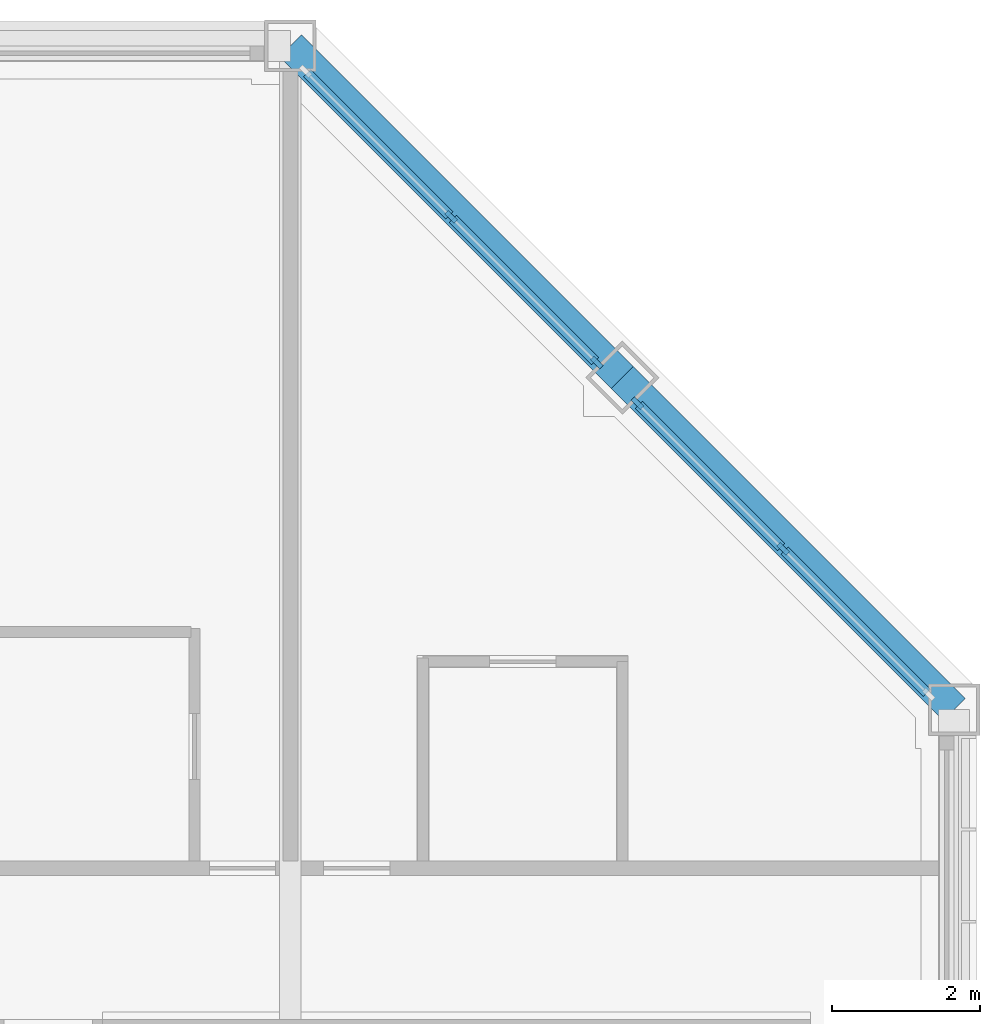
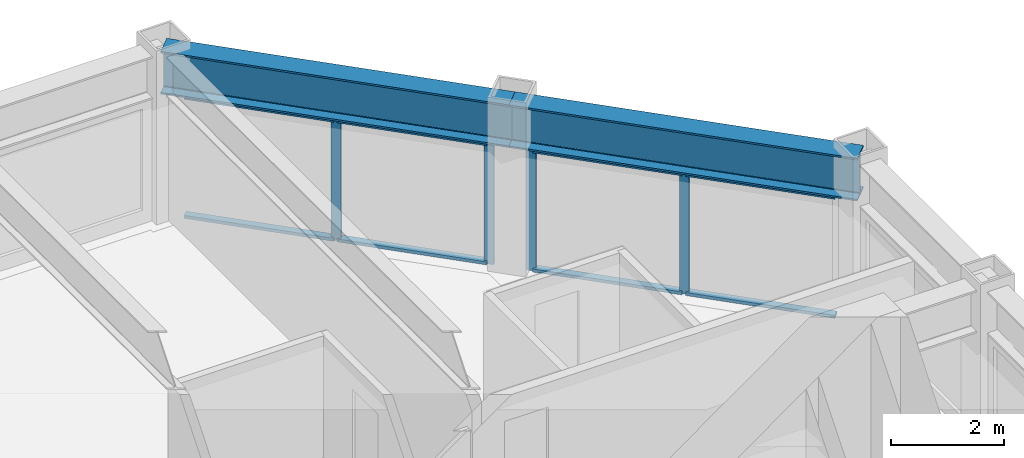
# One storey, part 7 of 16: 12 members, 2 beams, 2 elements without a shape of their own.
"""IFC4 building model written with IfcOpenShell, lengths in metres."""

from ifc_helpers import new_model, si_unit, direction, frame, origin, origin_2d, place, context, subcontext, project, spatial, rectangle, i_section, extrude, material, material_profile, profile_set, type_object, element, aggregate, save


model = new_model("IFC4")

# Units and contexts
model_context = context("Model", 3, precision=1e-05, world=origin(), true_north=direction((0.0, 1.0)))
body_context = subcontext(model_context, "Body", "Model", "MODEL_VIEW")
ifc_project = project(units=[si_unit("LENGTHUNIT", "METRE"), si_unit("AREAUNIT", "SQUARE_METRE"), si_unit("VOLUMEUNIT", "CUBIC_METRE"), si_unit("PLANEANGLEUNIT", "RADIAN"), si_unit("MASSUNIT", "GRAM", prefix="KILO")], contexts=[model_context])

# Site, building, storey
site_placement = place(None, origin())
site = spatial("IfcSite", under=ifc_project, at=site_placement, CompositionType="ELEMENT")
building_placement = place(site_placement, origin())
building = spatial("IfcBuilding", under=site, at=building_placement, Name="Msasa Ring Tower", CompositionType="ELEMENT")
storey_placement = place(building_placement, frame((0.0, 0.0, 212.050048828125)))
storey = spatial("IfcBuildingStorey", under=building, at=storey_placement, Name="L55", CompositionType="ELEMENT", Elevation=212.050048828125)

# Curtain wall, members
ifc_material_1 = material(Name="Aluminium curtain wall with clear glass", Category="aluminium")
curtain_wall_type = type_object("IfcCurtainWallType", Name="CW-C CHAMFER CORNER CURTAIN WALL", PredefinedType="NOTDEFINED", material=ifc_material_1)
curtain_wall_1_placement = place(storey_placement, origin())
curtain_wall_1 = element("IfcCurtainWall", 1, at=curtain_wall_1_placement, inside=storey, type_object=curtain_wall_type, Name="Chamfer corner curtain wall NE L55", PredefinedType="NOTDEFINED")
ifc_material_2 = material(Name="Aluminium mullion", Category="aluminium")
ifc_material_profile_1 = material_profile(ifc_material_2, rectangle(XDim=0.06494140625, YDim=0.179931640625, at=origin_2d()), Name="AL 65x180")
ifc_profile_set_1 = profile_set([ifc_material_profile_1], Name="Aluminium mullion")
member_type_1 = type_object("IfcMemberType", Name="CW-C MULLION 65x180", PredefinedType="MULLION", material=ifc_profile_set_1)
member_1_placement = place(storey_placement, frame((15.4052734375, 15.953369140625, 0.0), z_axis=(0.0, 0.0, 1.0), x_axis=(-0.707106781187, -0.707106781187, 0.0)))
member_1 = element("IfcMember", 2, at=member_1_placement, type_object=member_type_1, Name="CW-C mullion 1", PredefinedType="MULLION", context=body_context, shape_type="SweptSolid", body=[
    extrude(rectangle(XDim=0.06494140625, YDim=0.179931640625, at=origin_2d()), origin(), (0.0, 0.0, 1.0), 2.62890625),
])
member_2_placement = place(storey_placement, frame((13.42919921875, 17.92919921875, 0.0), z_axis=(0.0, 0.0, 1.0), x_axis=(-0.707106781187, -0.707106781187, 0.0)))
member_2 = element("IfcMember", 3, at=member_2_placement, type_object=member_type_1, Name="CW-C mullion 2", PredefinedType="MULLION", context=body_context, shape_type="SweptSolid", body=[
    extrude(rectangle(XDim=0.06494140625, YDim=0.179931640625, at=origin_2d()), origin(), (0.0, 0.0, 1.0), 2.62890625),
])

curtain_wall_2_placement = place(storey_placement, origin())
curtain_wall_2 = element("IfcCurtainWall", 4, at=curtain_wall_2_placement, inside=storey, type_object=curtain_wall_type, Name="Chamfer corner curtain wall NE L55", PredefinedType="NOTDEFINED")
member_3_placement = place(storey_placement, frame((17.92919921875, 13.42919921875, 0.0), z_axis=(0.0, 0.0, 1.0), x_axis=(-0.707106781187, -0.707106781187, 0.0)))
member_3 = element("IfcMember", 5, at=member_3_placement, type_object=member_type_1, Name="CW-C mullion 2", PredefinedType="MULLION", context=body_context, shape_type="SweptSolid", body=[
    extrude(rectangle(XDim=0.06494140625, YDim=0.179931640625, at=origin_2d()), origin(), (0.0, 0.0, 1.0), 2.62890625),
])
member_4_placement = place(storey_placement, frame((15.953369140625, 15.4052734375, 0.0), z_axis=(0.0, 0.0, 1.0), x_axis=(-0.707106781187, -0.707106781187, 0.0)))
member_4 = element("IfcMember", 6, at=member_4_placement, type_object=member_type_1, Name="CW-C mullion 3", PredefinedType="MULLION", context=body_context, shape_type="SweptSolid", body=[
    extrude(rectangle(XDim=0.06494140625, YDim=0.179931640625, at=origin_2d()), origin(), (0.0, 0.0, 1.0), 2.62890625),
])

# Member
ifc_material_3 = material(Name="Aluminium transom", Category="aluminium")
ifc_material_profile_2 = material_profile(ifc_material_3, rectangle(XDim=0.139892578125, YDim=0.06494140625, at=origin_2d()), Name="AL 65x140")
ifc_profile_set_2 = profile_set([ifc_material_profile_2], Name="Aluminium transom")
member_type_2 = type_object("IfcMemberType", Name="CW-C TRANSOM 65x140", PredefinedType="USERDEFINED", material=ifc_profile_set_2)
member_5_placement = place(storey_placement, frame((15.38232421875, 15.976318359375, 0.032470703125), z_axis=(-0.707106781187, 0.707106781187, 0.0), x_axis=(-0.707106781187, -0.707106781187, 0.0)))
member_5 = element("IfcMember", 7, at=member_5_placement, type_object=member_type_2, Name="CW-C transom 1.1", ObjectType="TRANSOM", PredefinedType="USERDEFINED", context=body_context, shape_type="SweptSolid", body=[
    extrude(rectangle(XDim=0.139892578125, YDim=0.06494140625, at=origin_2d()), origin(), (0.0, 0.0, 1.0), 2.729248046875),
])

member_6_placement = place(storey_placement, frame((15.38232421875, 15.976318359375, 2.596435546875), z_axis=(-0.707106781187, 0.707106781187, 0.0), x_axis=(-0.707106781187, -0.707106781187, 0.0)))
member_6 = element("IfcMember", 8, at=member_6_placement, type_object=member_type_2, Name="CW-C transom 1.2", ObjectType="TRANSOM", PredefinedType="USERDEFINED", context=body_context, shape_type="SweptSolid", body=[
    extrude(rectangle(XDim=0.139892578125, YDim=0.06494140625, at=origin_2d()), origin(), (0.0, 0.0, 1.0), 2.729248046875),
])

member_7_placement = place(storey_placement, frame((13.40625, 17.952392578125, 0.032470703125), z_axis=(-0.707106781187, 0.707106781187, 0.0), x_axis=(-0.707106781187, -0.707106781187, 0.0)))
member_7 = element("IfcMember", 9, at=member_7_placement, type_object=member_type_2, Name="CW-C transom 2.1", ObjectType="TRANSOM", PredefinedType="USERDEFINED", context=body_context, shape_type="SweptSolid", body=[
    extrude(rectangle(XDim=0.139892578125, YDim=0.06494140625, at=origin_2d()), origin(), (0.0, 0.0, 1.0), 2.729248046875),
])

member_8_placement = place(storey_placement, frame((13.40625, 17.952392578125, 2.596435546875), z_axis=(-0.707106781187, 0.707106781187, 0.0), x_axis=(-0.707106781187, -0.707106781187, 0.0)))
member_8 = element("IfcMember", 10, at=member_8_placement, type_object=member_type_2, Name="CW-C transom 2.2", ObjectType="TRANSOM", PredefinedType="USERDEFINED", context=body_context, shape_type="SweptSolid", body=[
    extrude(rectangle(XDim=0.139892578125, YDim=0.06494140625, at=origin_2d()), origin(), (0.0, 0.0, 1.0), 2.729248046875),
])

aggregate(curtain_wall_1, [member_1, member_2, member_5, member_6, member_7, member_8])

member_9_placement = place(storey_placement, frame((19.88232421875, 11.476318359375, 0.032470703125), z_axis=(-0.707106781187, 0.707106781187, 0.0), x_axis=(-0.707106781187, -0.707106781187, 0.0)))
member_9 = element("IfcMember", 11, at=member_9_placement, type_object=member_type_2, Name="CW-C transom 1.1", ObjectType="TRANSOM", PredefinedType="USERDEFINED", context=body_context, shape_type="SweptSolid", body=[
    extrude(rectangle(XDim=0.139892578125, YDim=0.06494140625, at=origin_2d()), origin(), (0.0, 0.0, 1.0), 2.729248046875),
])

member_10_placement = place(storey_placement, frame((19.88232421875, 11.476318359375, 2.596435546875), z_axis=(-0.707106781187, 0.707106781187, 0.0), x_axis=(-0.707106781187, -0.707106781187, 0.0)))
member_10 = element("IfcMember", 12, at=member_10_placement, type_object=member_type_2, Name="CW-C transom 1.2", ObjectType="TRANSOM", PredefinedType="USERDEFINED", context=body_context, shape_type="SweptSolid", body=[
    extrude(rectangle(XDim=0.139892578125, YDim=0.06494140625, at=origin_2d()), origin(), (0.0, 0.0, 1.0), 2.729248046875),
])

member_11_placement = place(storey_placement, frame((17.90625, 13.452392578125, 0.032470703125), z_axis=(-0.707106781187, 0.707106781187, 0.0), x_axis=(-0.707106781187, -0.707106781187, 0.0)))
member_11 = element("IfcMember", 13, at=member_11_placement, type_object=member_type_2, Name="CW-C transom 2.1", ObjectType="TRANSOM", PredefinedType="USERDEFINED", context=body_context, shape_type="SweptSolid", body=[
    extrude(rectangle(XDim=0.139892578125, YDim=0.06494140625, at=origin_2d()), origin(), (0.0, 0.0, 1.0), 2.729248046875),
])

member_12_placement = place(storey_placement, frame((17.90625, 13.452392578125, 2.596435546875), z_axis=(-0.707106781187, 0.707106781187, 0.0), x_axis=(-0.707106781187, -0.707106781187, 0.0)))
member_12 = element("IfcMember", 14, at=member_12_placement, type_object=member_type_2, Name="CW-C transom 2.2", ObjectType="TRANSOM", PredefinedType="USERDEFINED", context=body_context, shape_type="SweptSolid", body=[
    extrude(rectangle(XDim=0.139892578125, YDim=0.06494140625, at=origin_2d()), origin(), (0.0, 0.0, 1.0), 2.729248046875),
])

aggregate(curtain_wall_2, [member_3, member_4, member_9, member_10, member_11, member_12])

# Beams
ifc_material_4 = material(Name="Steel S355", Category="steel")
ifc_material_profile_3 = material_profile(ifc_material_4, i_section(OverallWidth=0.42041015625, OverallDepth=0.9208984375, WebThickness=0.021484375, FlangeThickness=0.03662109375, FilletRadius=0.024169921875, at=origin_2d()), Name="UB 914x419x388")
ifc_profile_set_3 = profile_set([ifc_material_profile_3], Name="Steel S355")
beam_type = type_object("IfcBeamType", Name="SB1 UB 914x419x388", PredefinedType="SPANDREL", material=ifc_profile_set_3)
for number, where, z_axis, x_axis, name in (
    (15, (20.25, 11.25, 3.08935546875), (-0.707106781187, 0.707106781187, 0.0), (-0.707106781187, -0.707106781187, 0.0), "Spandrel E+11.25 to NE under L56"),
    (16, (15.75, 15.75, 3.08935546875), (-0.707106781187, 0.707106781187, 0.0), (-0.707106781187, -0.707106781187, 0.0), "Spandrel NE to N+11.25 under L56"),
):
    element("IfcBeam", number, at=place(storey_placement, frame(where, z_axis=z_axis, x_axis=x_axis)), inside=storey, type_object=beam_type, Name=name, PredefinedType="SPANDREL", context=body_context, shape_type="SweptSolid", body=[
        extrude(i_section(OverallWidth=0.42041015625, OverallDepth=0.9208984375, WebThickness=0.021484375, FlangeThickness=0.03662109375, FilletRadius=0.024169921875, at=origin_2d()), origin(), (0.0, 0.0, 1.0), 6.364013671875),
    ])

save(model, "model.ifc")
